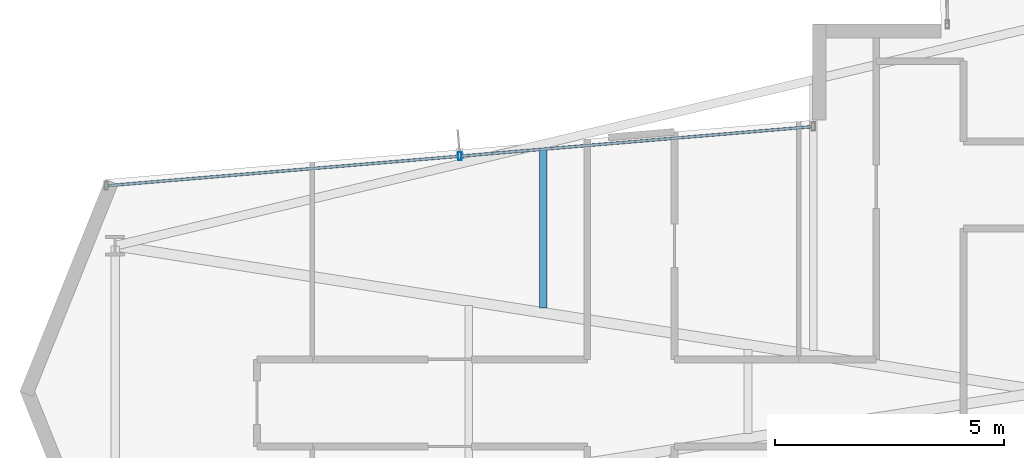
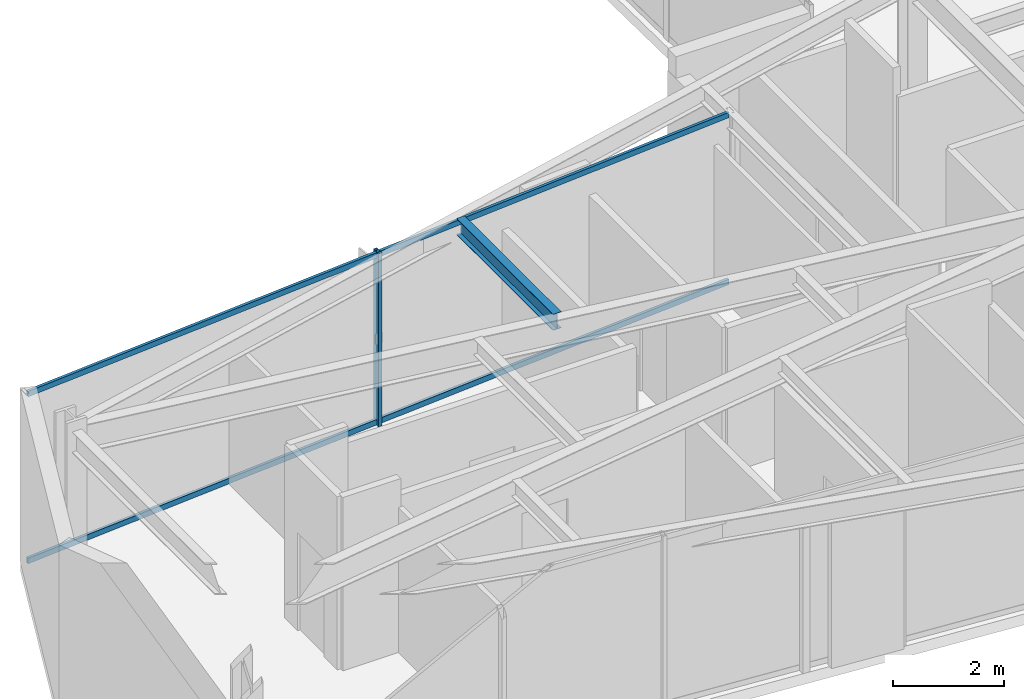
# One storey, part 8 of 26: 3 members, 1 beam, 1 element without a shape of its own.
"""IFC4 building model written with IfcOpenShell, lengths in metres."""

from ifc_helpers import new_model, si_unit, direction, frame, origin, origin_2d, place, context, subcontext, project, spatial, hollow_rectangle, i_section, extrude, material, layer, layer_set, material_profile, profile_set, type_object, element, aggregate, save


model = new_model("IFC4")

# Units and contexts
model_context = context("Model", 3, precision=1e-05, world=origin(), true_north=direction((0.0, 1.0)))
body_context = subcontext(model_context, "Body", "Model", "MODEL_VIEW")
ifc_project = project(units=[si_unit("LENGTHUNIT", "METRE"), si_unit("AREAUNIT", "SQUARE_METRE"), si_unit("VOLUMEUNIT", "CUBIC_METRE"), si_unit("PLANEANGLEUNIT", "RADIAN"), si_unit("MASSUNIT", "GRAM", prefix="KILO")], contexts=[model_context])

# Site, building, storey
site_placement = place(None, origin())
site = spatial("IfcSite", under=ifc_project, at=site_placement, CompositionType="ELEMENT")
building_placement = place(site_placement, origin())
building = spatial("IfcBuilding", under=site, at=building_placement, Name="Veymaron Broadcast Tower", CompositionType="ELEMENT")
storey_placement = place(building_placement, frame((0.0, 0.0, 133.050048828125)))
storey = spatial("IfcBuildingStorey", under=building, at=storey_placement, Name="L30", CompositionType="ELEMENT", Elevation=133.050048828125)

# Beam
ifc_material_1 = material(Name="Structural steel ASTM A992 Gr 50", Category="steel")
ifc_material_profile_1 = material_profile(ifc_material_1, i_section(OverallWidth=0.1708984375, OverallDepth=0.35498046875, WebThickness=0.007080078125, FlangeThickness=0.01171875, at=origin_2d()), Name="W360X51")
ifc_profile_set_1 = profile_set([ifc_material_profile_1], Name="Structural steel ASTM A992 Gr 50")
beam_type = type_object("IfcBeamType", Name="BM-JS2", PredefinedType="JOIST", material=ifc_profile_set_1)
beam_placement = place(storey_placement, frame((20.24072265625, 25.814453125, 3.632568359375), z_axis=(0.0, 1.0, 0.0), x_axis=(-1.0, 0.0, 0.0)))
element("IfcBeam", 1, at=beam_placement, inside=storey, type_object=beam_type, Name="L30 Arm-A secondary joist 1N", PredefinedType="JOIST", context=body_context, shape_type="SweptSolid", body=[
    extrude(i_section(OverallWidth=0.1708984375, OverallDepth=0.35498046875, WebThickness=0.007080078125, FlangeThickness=0.01171875, at=origin_2d()), origin(), (0.0, 0.0, 1.0), 3.47998046875),
])

# Curtain wall, members
ifc_material_2 = material(Name="Anodised aluminium AA 6063-T6 and laminated low-E dark glass", Category="aluminium")
ifc_layer = layer(ifc_material_2, 0.179931640625)
ifc_layer_set = layer_set([ifc_layer], Name="Anodised aluminium AA 6063-T6 and laminated low-E dark glass")
curtain_wall_type = type_object("IfcCurtainWallType", Name="CW-SYS-03", PredefinedType="NOTDEFINED", material=ifc_layer_set)
curtain_wall_placement = place(storey_placement, origin())
curtain_wall = element("IfcCurtainWall", 2, at=curtain_wall_placement, inside=storey, type_object=curtain_wall_type, Name="L30 dark-glass curtain wall CW-L30-E11-1", PredefinedType="NOTDEFINED")
ifc_material_3 = material(Name="Anodised aluminium AA 6063-T6", Category="aluminium")
ifc_material_profile_2 = material_profile(ifc_material_3, hollow_rectangle(XDim=0.074951171875, YDim=0.179931640625, WallThickness=0.0048828125, at=origin_2d()), Name="AL180X75X5")
ifc_profile_set_2 = profile_set([ifc_material_profile_2], Name="Anodised aluminium AA 6063-T6")
member_type_1 = type_object("IfcMemberType", Name="CW-MUL-02", PredefinedType="MULLION", material=ifc_profile_set_2)
member_1_placement = place(storey_placement, frame((18.421630859375, 29.128662109375, 0.0), z_axis=(0.0, 0.0, 1.0), x_axis=(1.0, 0.0, 0.0)))
member_1 = element("IfcMember", 3, at=member_1_placement, type_object=member_type_1, Name="CW-L30-E11-1 mullion 1", PredefinedType="MULLION", context=body_context, shape_type="SweptSolid", body=[
    extrude(hollow_rectangle(XDim=0.074951171875, YDim=0.179931640625, WallThickness=0.0048828125, at=origin_2d()), origin(), (0.0, 0.0, 1.0), 3.81005859375),
])
ifc_material_profile_3 = material_profile(ifc_material_3, hollow_rectangle(XDim=0.06005859375, YDim=0.1201171875, WallThickness=0.00390625, at=origin_2d()), Name="AL120X60X4")
ifc_profile_set_3 = profile_set([ifc_material_profile_3], Name="Anodised aluminium AA 6063-T6")
member_type_2 = type_object("IfcMemberType", Name="CW-TRN-02", PredefinedType="USERDEFINED", material=ifc_profile_set_3)
member_2_placement = place(storey_placement, frame((26.081787109375, 29.7705078125, 0.070068359375), z_axis=(-0.996507981532, -0.083497561303, 0.0), x_axis=(0.083497561303, -0.996507981532, 0.0)))
member_2 = element("IfcMember", 4, at=member_2_placement, type_object=member_type_2, Name="CW-L30-E11-1 transom B", ObjectType="TRANSOM", PredefinedType="USERDEFINED", context=body_context, shape_type="SweptSolid", body=[
    extrude(hollow_rectangle(XDim=0.06005859375, YDim=0.1201171875, WallThickness=0.00390625, at=origin_2d()), origin(), (0.0, 0.0, 1.0), 15.3740234375),
])
member_3_placement = place(storey_placement, frame((26.081787109375, 29.7705078125, 3.739990234375), z_axis=(-0.996507981532, -0.083497561303, 0.0), x_axis=(0.083497561303, -0.996507981532, 0.0)))
member_3 = element("IfcMember", 5, at=member_3_placement, type_object=member_type_2, Name="CW-L30-E11-1 transom T", ObjectType="TRANSOM", PredefinedType="USERDEFINED", context=body_context, shape_type="SweptSolid", body=[
    extrude(hollow_rectangle(XDim=0.06005859375, YDim=0.1201171875, WallThickness=0.00390625, at=origin_2d()), origin(), (0.0, 0.0, 1.0), 15.3740234375),
])
aggregate(curtain_wall, [member_1, member_2, member_3])

save(model, "model.ifc")
